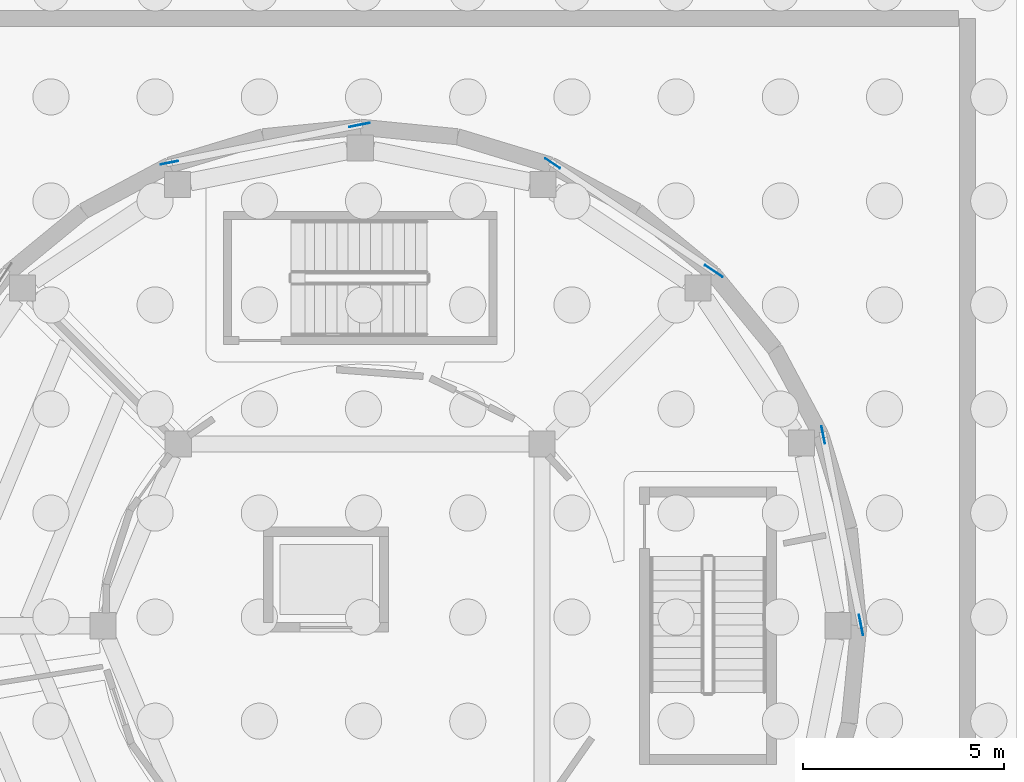
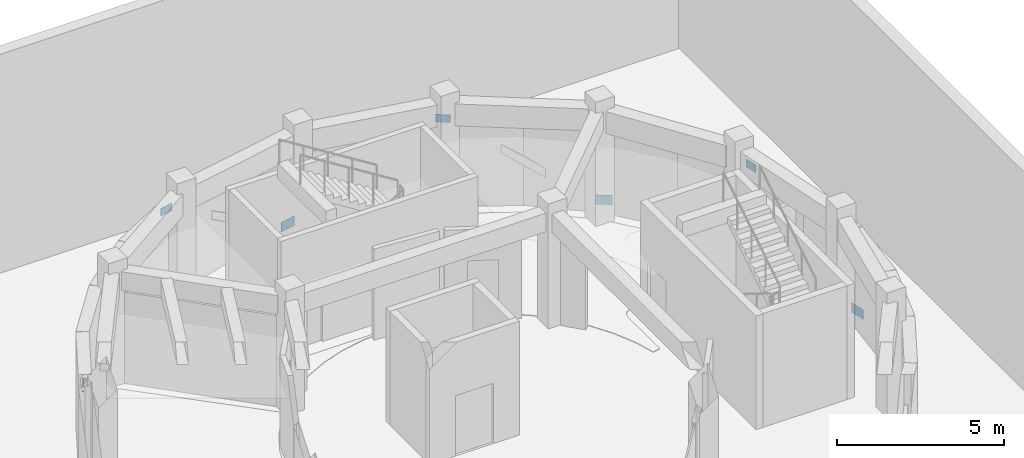
# One storey, part 34 of 57: 6 plates.
"""IFC4 building model written with IfcOpenShell, lengths in metres."""

from ifc_helpers import new_model, si_unit, direction, frame, origin, origin_2d, place, context, subcontext, project, spatial, rectangle, extrude, material, layer, layer_set, type_object, element, save


model = new_model("IFC4")

# Units and contexts
model_context = context("Model", 3, precision=1e-05, world=origin(), true_north=direction((0.0, 1.0)))
body_context = subcontext(model_context, "Body", "Model", "MODEL_VIEW")
ifc_project = project(units=[si_unit("LENGTHUNIT", "METRE"), si_unit("AREAUNIT", "SQUARE_METRE"), si_unit("VOLUMEUNIT", "CUBIC_METRE"), si_unit("PLANEANGLEUNIT", "RADIAN"), si_unit("MASSUNIT", "GRAM", prefix="KILO")], contexts=[model_context])

# Site, building, storey
site_placement = place(None, origin())
site = spatial("IfcSite", under=ifc_project, at=site_placement, CompositionType="ELEMENT")
building_placement = place(site_placement, origin())
building = spatial("IfcBuilding", under=site, at=building_placement, Name="Aldenvaro Health Centre", CompositionType="ELEMENT")
storey_placement = place(building_placement, frame((0.0, 0.0, -4.550048828125)))
storey = spatial("IfcBuildingStorey", under=building, at=storey_placement, Name="B1", CompositionType="ELEMENT", Elevation=-4.550048828125)

# Plates
ifc_material = material(Name="Steel ASTM A572 Grade 50", Category="steel")
ifc_layer_1 = layer(ifc_material, 0.01806640625, Name="Steel ASTM A572 Grade 50", Category="steel")
ifc_layer_set_1 = layer_set([ifc_layer_1], Name="Steel ASTM A572 Grade 50")
plate_type_1 = type_object("IfcPlateType", Name="PLT-GUS-02", PredefinedType="SHEET", material=ifc_layer_set_1)
for number, where, z_axis, x_axis, name in (
    (1, (166.9560546875, 99.52001953125, 0.1298828125), (0.0, 0.0, 1.0), (-0.195004731611, 0.980802301511, 0.0), "D2 B1 brace end gusset 1.B"),
    (2, (163.2939453125, 108.322021484375, 0.1298828125), (0.0, 0.0, 1.0), (-0.831440521573, 0.555613767905, 0.0), "D2 B1 brace end gusset 3.B"),
    (3, (154.47998046875, 111.9560546875, 0.1298828125), (0.0, 0.0, 1.0), (-0.980802301511, -0.195004731611, 0.0), "D2 B1 brace end gusset 5.B"),
):
    element("IfcPlate", number, at=place(storey_placement, frame(where, z_axis=z_axis, x_axis=x_axis)), inside=storey, type_object=plate_type_1, Name=name, PredefinedType="SHEET", context=body_context, shape_type="SweptSolid", body=[
        extrude(rectangle(XDim=0.52001953125, YDim=0.01806640625, at=origin_2d()), origin(), (0.0, 0.0, 1.0), 0.340087890625),
    ])
ifc_layer_2 = layer(ifc_material, 0.01611328125, Name="Steel ASTM A572 Grade 50", Category="steel")
ifc_layer_set_2 = layer_set([ifc_layer_2], Name="Steel ASTM A572 Grade 50")
plate_type_2 = type_object("IfcPlateType", Name="PLT-GUS-03", PredefinedType="SHEET", material=ifc_layer_set_2)
for number, where, z_axis, x_axis, name in (
    (4, (166.01611328125, 104.248046875, 2.908203125), (0.0, 0.0, 1.0), (-0.195004731611, 0.980802301511, 0.0), "D2 B1 brace end gusset 1.T"),
    (5, (159.284912109375, 111.0009765625, 2.908203125), (0.0, 0.0, 1.0), (-0.831440521573, 0.555613767905, 0.0), "D2 B1 brace end gusset 3.T"),
    (6, (149.751953125, 111.01611328125, 2.908203125), (0.0, 0.0, 1.0), (-0.980802301511, -0.195004731611, 0.0), "D2 B1 brace end gusset 5.T"),
):
    element("IfcPlate", number, at=place(storey_placement, frame(where, z_axis=z_axis, x_axis=x_axis)), inside=storey, type_object=plate_type_2, Name=name, PredefinedType="SHEET", context=body_context, shape_type="SweptSolid", body=[
        extrude(rectangle(XDim=0.43994140625, YDim=0.01611328125, at=origin_2d()), origin(), (0.0, 0.0, 1.0), 0.280029296875),
    ])

save(model, "model.ifc")
